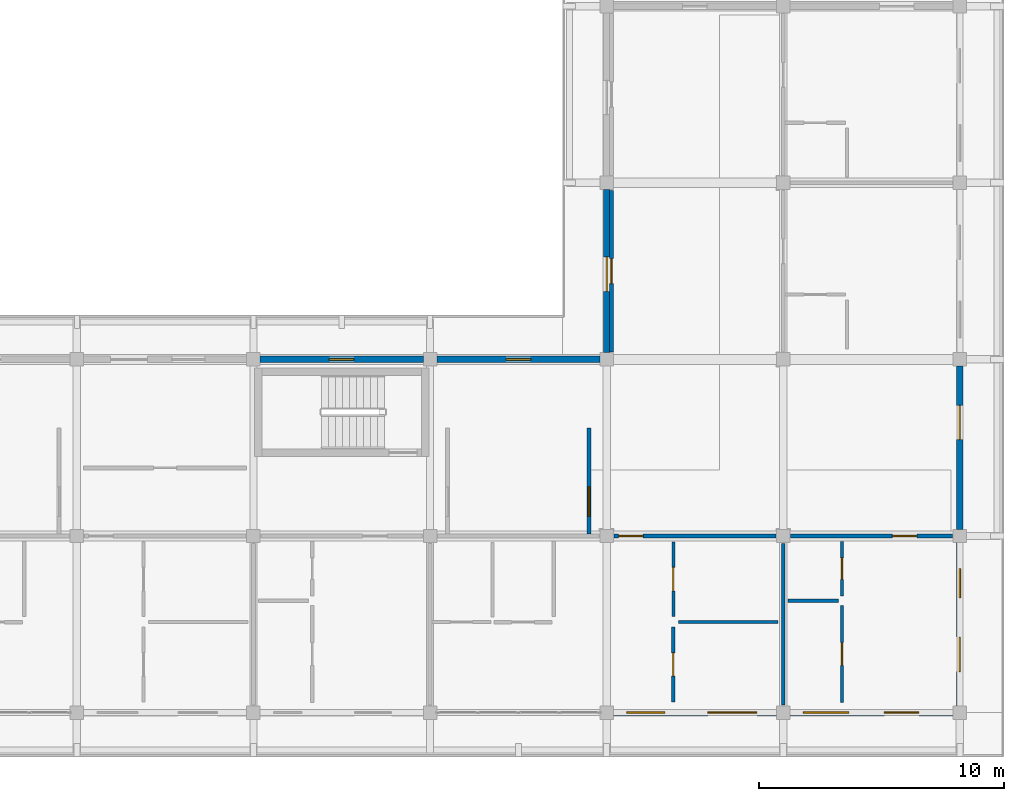
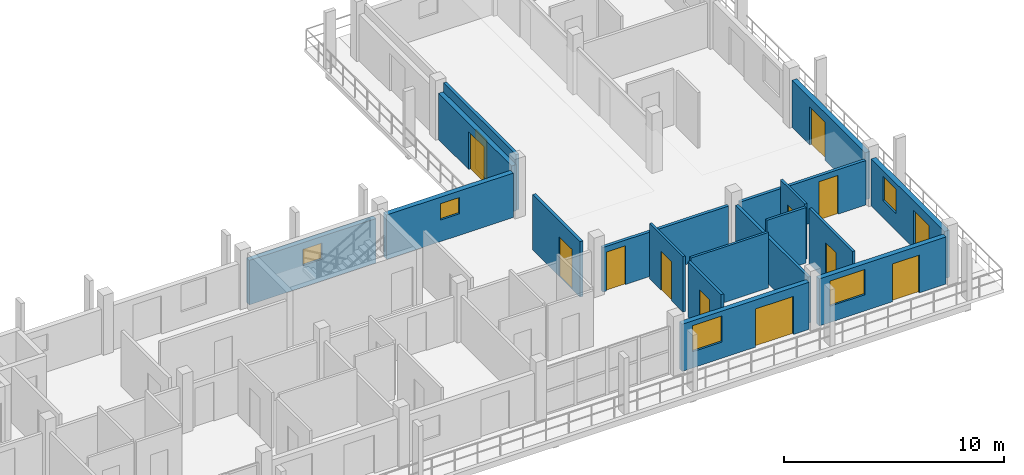
# One storey, part 42 of 60: 18 walls, 13 doors, 5 windows, 18 openings.
"""IFC4 building model written with IfcOpenShell, lengths in metres."""

import ifcopenshell
import ifcopenshell.guid

model = None  # the IFC model being written
_history = None  # IfcOwnerHistory: only IFC2X3 demands one
_inside = {}  # id of a spatial element -> (the spatial element, [elements in it])
_under = {}  # id of a project, library or spatial element -> (it, [spatial elements below it])
_declared = {}  # id of a project -> (the project, [libraries it declares])
_typed = {}  # id of a type object -> (the type object, [elements of that type])
_made_of = {}  # id of a material, layer set ... -> (it, [elements and type objects made of it])


def new_model(schema):
    """Start an empty IFC model of exactly this schema.

    Asked for "IFC4X3", IfcOpenShell would pick the latest addendum, in which some entities
    have other attributes; the version numbers below select the first issue.
    IFC2X3 requires an IfcOwnerHistory on every rooted entity: one is made here for all.
    """
    global model, _history
    if schema == "IFC4X3":
        model = ifcopenshell.file(schema_version=(4, 3, 0, 0))
    else:
        model = ifcopenshell.file(schema=schema)
    _inside.clear()
    _under.clear()
    _declared.clear()
    _typed.clear()
    _made_of.clear()
    _history = None
    if model.schema == "IFC2X3":
        org = make("IfcOrganization", Name="unknown")
        user = make(
            "IfcPersonAndOrganization",
            ThePerson=make("IfcPerson", FamilyName="unknown"),
            TheOrganization=org,
        )
        app = make(
            "IfcApplication",
            ApplicationDeveloper=org,
            Version="unknown",
            ApplicationFullName="unknown",
            ApplicationIdentifier="unknown",
        )
        _history = make(
            "IfcOwnerHistory",
            OwningUser=user,
            OwningApplication=app,
            ChangeAction="ADDED",
            CreationDate=0,
        )
    return model


def make(cls, **values):
    """One entity of the class cls with the attributes given. An attribute that is None is left unset."""
    return model.create_entity(
        cls, **{name: value for name, value in values.items() if value is not None}
    )


def rooted(cls, **values):
    """An entity with a GlobalId (a new one), such as an element, a storey or a relation."""
    return make(cls, GlobalId=ifcopenshell.guid.new(), OwnerHistory=_history, **values)


def si_unit(unit_type, name, prefix=None):
    """IfcSIUnit, for example si_unit("LENGTHUNIT", "METRE", prefix="MILLI")."""
    return make("IfcSIUnit", UnitType=unit_type, Prefix=prefix, Name=name)


def assignment(units):
    """IfcUnitAssignment: the units of a project."""
    return None if units is None else make("IfcUnitAssignment", Units=units)


def point(xyz):
    """IfcCartesianPoint."""
    return None if xyz is None else make("IfcCartesianPoint", Coordinates=xyz)


def direction(xyz):
    """IfcDirection."""
    return None if xyz is None else make("IfcDirection", DirectionRatios=xyz)


def frame(location, z_axis=None, x_axis=None):
    """IfcAxis2Placement3D, a coordinate frame: its origin and axes. An axis left out is left unset."""
    return make(
        "IfcAxis2Placement3D",
        Location=point(location),
        Axis=direction(z_axis),
        RefDirection=direction(x_axis),
    )


def frame_2d(location, x_axis=None):
    """IfcAxis2Placement2D, a coordinate frame in the plane: its origin and x axis."""
    return make(
        "IfcAxis2Placement2D", Location=point(location), RefDirection=direction(x_axis)
    )


def origin():
    """The frame at (0, 0, 0) with its axes left unset."""
    return frame((0.0, 0.0, 0.0))


def place(relative_to, where):
    """IfcLocalPlacement: puts the frame where relative to a parent placement (None: the world)."""
    return make(
        "IfcLocalPlacement", PlacementRelTo=relative_to, RelativePlacement=where
    )


def context(
    kind, dimensions, precision=None, world=None, true_north=None, identifier=None
):
    """IfcGeometricRepresentationContext, for example the 3D "Model" context."""
    return make(
        "IfcGeometricRepresentationContext",
        ContextIdentifier=identifier,
        ContextType=kind,
        CoordinateSpaceDimension=dimensions,
        Precision=precision,
        WorldCoordinateSystem=world,
        TrueNorth=true_north,
    )


def subcontext(parent, identifier, kind, view, scale=None):
    """IfcGeometricRepresentationSubContext, for example "Body" below "Model"."""
    return make(
        "IfcGeometricRepresentationSubContext",
        ContextIdentifier=identifier,
        ContextType=kind,
        ParentContext=parent,
        TargetScale=scale,
        TargetView=view,
    )


def project(units=None, contexts=None):
    """IfcProject with its units and contexts."""
    return rooted(
        "IfcProject",
        Name="project",
        RepresentationContexts=contexts,
        UnitsInContext=assignment(units),
    )


def spatial(cls, under=None, at=None, **own):
    """A site, building, storey or space (cls), placed at a placement, below another one or the project."""
    s = rooted(cls, ObjectPlacement=at, **own)
    if under is not None:
        _under.setdefault(under.id(), (under, []))[1].append(s)
    return s


def profile(cls, at=None, kind="AREA", **sizes):
    """A parametric profile (cls). Its sizes go by their IFC names, for example OverallWidth=200.0."""
    return make(cls, ProfileType=kind, Position=at, **sizes)


def rectangle(**sizes):
    """IfcRectangleProfileDef."""
    return profile("IfcRectangleProfileDef", **sizes)


def extrude(swept, where, along, depth):
    """IfcExtrudedAreaSolid: the profile swept, set in the frame where, extruded along a direction by depth."""
    return make(
        "IfcExtrudedAreaSolid",
        SweptArea=swept,
        Position=where,
        ExtrudedDirection=direction(along),
        Depth=depth,
    )


def shape(context_of_items, identifier, shape_type, items):
    """IfcShapeRepresentation: the items that make up one representation, for example the "Body"."""
    return make(
        "IfcShapeRepresentation",
        ContextOfItems=context_of_items,
        RepresentationIdentifier=identifier,
        RepresentationType=shape_type,
        Items=items,
    )


def material(Name=None, Category=None):
    """IfcMaterial."""
    return make("IfcMaterial", Name=Name, Category=Category)


def layer(
    of_material, thickness, ventilated=None, Name=None, Category=None, Priority=None
):
    """IfcMaterialLayer: one layer of a wall or slab, of a material (None: an air gap)."""
    return make(
        "IfcMaterialLayer",
        Material=of_material,
        LayerThickness=thickness,
        IsVentilated=ventilated,
        Name=Name,
        Category=Category,
        Priority=Priority,
    )


def layer_set(layers, Name=None):
    """IfcMaterialLayerSet."""
    return make("IfcMaterialLayerSet", MaterialLayers=layers, LayerSetName=Name)


def made_of(thing, what):
    """Note that an element or type object is made of a material, layer set ...; save() writes the relation."""
    if what is not None:
        _made_of.setdefault(what.id(), (what, []))[1].append(thing)
    return thing


def type_object(cls, material=None, **own):
    """A type object (cls), such as IfcWallType, which elements share."""
    return made_of(rooted(cls, **own), material)


def element(
    cls,
    number,
    at=None,
    inside=None,
    cuts=None,
    type_object=None,
    material=None,
    context=None,
    identifier="Body",
    shape_type=None,
    held_by="IfcProductDefinitionShape",
    body=None,
    shapes=None,
    **own,
):
    """One element of the class cls, such as IfcWall. Its Tag is "e" and its number.

    at: its placement. inside: the storey or other place that contains it. cuts: it is an
    opening in that element (IfcRelVoidsElement). A single representation is given by context,
    identifier, shape_type and body (its items); several are given by shapes. held_by: the class
    of the entity that holds the representations. save() writes the other relations.
    """
    e = rooted(cls, Tag="e%d" % number, ObjectPlacement=at, **own)
    if body is not None:
        shapes = [shape(context, identifier, shape_type, body)]
    if shapes is not None:
        e.Representation = make(held_by, Representations=shapes)
    if inside is not None:
        _inside.setdefault(inside.id(), (inside, []))[1].append(e)
    if cuts is not None:
        rooted(
            "IfcRelVoidsElement", RelatingBuildingElement=cuts, RelatedOpeningElement=e
        )
    if type_object is not None:
        _typed.setdefault(type_object.id(), (type_object, []))[1].append(e)
    return made_of(e, material)


def fill(opening, filler):
    """IfcRelFillsElement: the door or window that sits in an opening."""
    return rooted(
        "IfcRelFillsElement",
        RelatingOpeningElement=opening,
        RelatedBuildingElement=filler,
    )


def aggregate(whole, parts):
    """IfcRelAggregates: a whole, such as a stair, and the parts it consists of."""
    return rooted("IfcRelAggregates", RelatingObject=whole, RelatedObjects=parts)


def save(model, path):
    """Write the relations noted so far, then the file.

    IfcRelAggregates (storeys below a building ...), IfcRelContainedInSpatialStructure (elements
    in a storey), IfcRelDefinesByType, IfcRelAssociatesMaterial and IfcRelDeclares: one each for
    every whole, place, type object, material and project.
    """
    for whole, parts in _under.values():
        aggregate(whole, parts)
    for where, things in _inside.values():
        rooted(
            "IfcRelContainedInSpatialStructure",
            RelatedElements=things,
            RelatingStructure=where,
        )
    for kind, things in _typed.values():
        rooted("IfcRelDefinesByType", RelatedObjects=things, RelatingType=kind)
    for what, things in _made_of.values():
        rooted("IfcRelAssociatesMaterial", RelatedObjects=things, RelatingMaterial=what)
    for by, libraries in _declared.values():
        rooted("IfcRelDeclares", RelatingContext=by, RelatedDefinitions=libraries)
    model.write(path)


model = new_model("IFC4")

# Units and contexts
model_context = context("Model", 3, precision=1e-05, world=origin(), true_north=direction((0.0, 1.0)))
body_context = subcontext(model_context, "Body", "Model", "MODEL_VIEW")
ifc_project = project(units=[si_unit("LENGTHUNIT", "METRE"), si_unit("AREAUNIT", "SQUARE_METRE"), si_unit("VOLUMEUNIT", "CUBIC_METRE"), si_unit("PLANEANGLEUNIT", "RADIAN"), si_unit("MASSUNIT", "GRAM", prefix="KILO")], contexts=[model_context])

# Site, building, storey
site_placement = place(None, origin())
site = spatial("IfcSite", under=ifc_project, at=site_placement, CompositionType="ELEMENT")
building_placement = place(site_placement, origin())
building = spatial("IfcBuilding", under=site, at=building_placement, Name="Suanplinth Sawtooth Commons", CompositionType="ELEMENT")
storey_placement = place(building_placement, frame((0.0, 0.0, 31.5)))
storey = spatial("IfcBuildingStorey", under=building, at=storey_placement, Name="L09", CompositionType="ELEMENT", Elevation=31.5)

# Wall, opening, window
ifc_material_1 = material(Name="Precast concrete C40/50", Category="concrete")
ifc_layer_1 = layer(ifc_material_1, 0.260009765625, Name="Insulated precast courtyard facade wall 260mm")
ifc_layer_set_1 = layer_set([ifc_layer_1], Name="Precast concrete C40/50")
wall_type_1 = type_object("IfcWallType", Name="W-EX02", PredefinedType="ELEMENTEDWALL", material=ifc_layer_set_1)
wall_1_placement = place(storey_placement, frame((158.675048828125, 14.39990234375, 0.0), z_axis=(0.0, 0.0, 1.0), x_axis=(1.0, 0.0, 0.0)))
wall_1 = element("IfcWall", 1, at=wall_1_placement, inside=storey, type_object=wall_type_1, Name="Facade Wall W-L09-C-N-22-1", PredefinedType="ELEMENTEDWALL", context=body_context, shape_type="SweptSolid", body=[
    extrude(rectangle(XDim=6.64990234375, YDim=0.260009765625, at=frame_2d((3.324951171875, 0.0))), origin(), (0.0, 0.0, 1.0), 2.465087890625),
])
opening_1_placement = place(wall_1_placement, frame((2.824951171875, 0.0, 1.199951171875)))
opening_1 = element("IfcOpeningElement", 2, at=opening_1_placement, cuts=wall_1, Name="Opening W0809", PredefinedType="OPENING", context=body_context, shape_type="SweptSolid", body=[
    extrude(rectangle(XDim=1.0, YDim=0.89990234375, at=frame_2d((0.5, 0.449951171875))), frame((0.0, 0.14501953125, 0.0), z_axis=(0.0, -1.0, 0.0), x_axis=(1.0, 0.0, 0.0)), (0.0, 0.0, 1.0), 0.289794921875),
])
ifc_material_2 = material(Name="Thermally broken aluminium and low-E double glazing", Category="aluminium")
window_type_1 = type_object("IfcWindowType", Name="WN-12", PartitioningType="SINGLE_PANEL", PredefinedType="WINDOW", material=ifc_material_2)
window_1_placement = place(opening_1_placement, origin())
window_1 = element("IfcWindow", 3, at=window_1_placement, inside=storey, type_object=window_type_1, Name="Core Daylight Window L09-C-22-1", OverallHeight=0.89990234375, OverallWidth=1.0, PartitioningType="SINGLE_PANEL", PredefinedType="WINDOW", context=body_context, shape_type="SweptSolid", body=[
    extrude(rectangle(XDim=1.0, YDim=0.89990234375, at=frame_2d((0.5, 0.449951171875))), frame((0.0, 0.030029296875, 0.0), z_axis=(0.0, -1.0, 0.0), x_axis=(1.0, 0.0, 0.0)), (0.0, 0.0, 1.0), 0.06005859375),
])
fill(opening_1, window_1)

wall_2_placement = place(storey_placement, frame((165.875, 14.39990234375, 0.0), z_axis=(0.0, 0.0, 1.0), x_axis=(1.0, 0.0, 0.0)))
wall_2 = element("IfcWall", 4, at=wall_2_placement, inside=storey, type_object=wall_type_1, Name="Facade Wall W-L09-C-N-23-1", PredefinedType="ELEMENTEDWALL", context=body_context, shape_type="SweptSolid", body=[
    extrude(rectangle(XDim=6.64990234375, YDim=0.260009765625, at=frame_2d((3.324951171875, 0.0))), origin(), (0.0, 0.0, 1.0), 2.465087890625),
])
opening_2_placement = place(wall_2_placement, frame((2.824951171875, 0.0, 1.199951171875)))
opening_2 = element("IfcOpeningElement", 5, at=opening_2_placement, cuts=wall_2, Name="Opening W0810", PredefinedType="OPENING", context=body_context, shape_type="SweptSolid", body=[
    extrude(rectangle(XDim=1.0, YDim=0.89990234375, at=frame_2d((0.5, 0.449951171875))), frame((0.0, 0.14501953125, 0.0), z_axis=(0.0, -1.0, 0.0), x_axis=(1.0, 0.0, 0.0)), (0.0, 0.0, 1.0), 0.289794921875),
])
window_2_placement = place(opening_2_placement, origin())
window_2 = element("IfcWindow", 6, at=window_2_placement, inside=storey, type_object=window_type_1, Name="Core Daylight Window L09-C-23-1", OverallHeight=0.89990234375, OverallWidth=1.0, PartitioningType="SINGLE_PANEL", PredefinedType="WINDOW", context=body_context, shape_type="SweptSolid", body=[
    extrude(rectangle(XDim=1.0, YDim=0.89990234375, at=frame_2d((0.5, 0.449951171875))), frame((0.0, 0.030029296875, 0.0), z_axis=(0.0, -1.0, 0.0), x_axis=(1.0, 0.0, 0.0)), (0.0, 0.0, 1.0), 0.06005859375),
])
fill(opening_2, window_2)

# Wall, openings, door, window
wall_3_placement = place(storey_placement, frame((173.074951171875, 0.0, 0.0), z_axis=(0.0, 0.0, 1.0), x_axis=(1.0, 0.0, 0.0)))
wall_3 = element("IfcWall", 7, at=wall_3_placement, inside=storey, type_object=wall_type_1, Name="Facade Wall W-L09-C-S-24-0", PredefinedType="ELEMENTEDWALL", context=body_context, shape_type="SweptSolid", body=[
    extrude(rectangle(XDim=6.650146484375, YDim=0.260009765625, at=frame_2d((3.3251953125, 0.0))), origin(), (0.0, 0.0, 1.0), 2.614990234375),
])
opening_3_placement = place(wall_3_placement, frame((3.85009765625, 0.0, 0.0)))
opening_3 = element("IfcOpeningElement", 8, at=opening_3_placement, cuts=wall_3, Name="Opening ED0726", PredefinedType="OPENING", context=body_context, shape_type="SweptSolid", body=[
    extrude(rectangle(XDim=2.0, YDim=2.1201171875, at=frame_2d((1.0, 1.06005859375))), frame((0.0, 0.14501953125, 0.0), z_axis=(0.0, -1.0, 0.0), x_axis=(1.0, 0.0, 0.0)), (0.0, 0.0, 1.0), 0.289794921875),
])
opening_4_placement = place(wall_3_placement, frame((0.550048828125, 0.0, 0.89990234375)))
opening_4 = element("IfcOpeningElement", 9, at=opening_4_placement, cuts=wall_3, Name="Opening W0811", PredefinedType="OPENING", context=body_context, shape_type="SweptSolid", body=[
    extrude(rectangle(XDim=1.550048828125, YDim=1.449951171875, at=frame_2d((0.77490234375, 0.72509765625))), frame((0.0, 0.14501953125, 0.0), z_axis=(0.0, -1.0, 0.0), x_axis=(1.0, 0.0, 0.0)), (0.0, 0.0, 1.0), 0.289794921875),
])
ifc_material_3 = material(Name="Anodized aluminium and low-E glass", Category="aluminium")
door_type_1 = type_object("IfcDoorType", Name="SD-06", OperationType="DOUBLE_DOOR_SLIDING", PredefinedType="DOOR", material=ifc_material_3)
door_1_placement = place(opening_3_placement, frame((2.0, 0.0, 0.0), z_axis=(0.0, 0.0, 1.0), x_axis=(-1.0, 0.0, 0.0)))
door_1 = element("IfcDoor", 10, at=door_1_placement, inside=storey, type_object=door_type_1, Name="Balcony Sliding Door L09-C-24", OperationType="DOUBLE_DOOR_SLIDING", OverallHeight=2.1201171875, OverallWidth=2.0, PredefinedType="DOOR", context=body_context, shape_type="SweptSolid", body=[
    extrude(rectangle(XDim=2.0, YDim=2.1201171875, at=frame_2d((1.0, 1.06005859375))), frame((0.0, 0.02490234375, 0.0), z_axis=(0.0, -1.0, 0.0), x_axis=(1.0, 0.0, 0.0)), (0.0, 0.0, 1.0), 0.050048828125),
])
fill(opening_3, door_1)
window_type_2 = type_object("IfcWindowType", Name="WN-22", PartitioningType="DOUBLE_PANEL_VERTICAL", PredefinedType="WINDOW", material=ifc_material_2)
window_3_placement = place(opening_4_placement, origin())
window_3 = element("IfcWindow", 11, at=window_3_placement, inside=storey, type_object=window_type_2, Name="Apartment Window L09-C-24", OverallHeight=1.449951171875, OverallWidth=1.550048828125, PartitioningType="DOUBLE_PANEL_VERTICAL", PredefinedType="WINDOW", context=body_context, shape_type="SweptSolid", body=[
    extrude(rectangle(XDim=1.550048828125, YDim=1.449951171875, at=frame_2d((0.77490234375, 0.72509765625))), frame((0.0, 0.030029296875, 0.0), z_axis=(0.0, -1.0, 0.0), x_axis=(1.0, 0.0, 0.0)), (0.0, 0.0, 1.0), 0.06005859375),
])
fill(opening_4, window_3)

# Wall, opening, door
wall_4_placement = place(storey_placement, frame((172.800048828125, 14.675048828125, 0.0), z_axis=(0.0, 0.0, 1.0), x_axis=(0.0, 1.0, 0.0)))
wall_4 = element("IfcWall", 12, at=wall_4_placement, inside=storey, type_object=wall_type_1, Name="Facade Wall W-L09-C-W-24-2", PredefinedType="ELEMENTEDWALL", context=body_context, shape_type="SweptSolid", body=[
    extrude(rectangle(XDim=6.64990234375, YDim=0.260009765625, at=frame_2d((3.324951171875, 0.0))), origin(), (0.0, 0.0, 1.0), 2.56494140625),
])
opening_5_placement = place(wall_4_placement, frame((2.5, 0.0, 0.0)))
opening_5 = element("IfcOpeningElement", 13, at=opening_5_placement, cuts=wall_4, Name="Opening ED0727", PredefinedType="OPENING", context=body_context, shape_type="SweptSolid", body=[
    extrude(rectangle(XDim=1.39990234375, YDim=2.10009765625, at=frame_2d((0.699951171875, 1.050048828125))), frame((0.0, 0.14501953125, 0.0), z_axis=(0.0, -1.0, 0.0), x_axis=(1.0, 0.0, 0.0)), (0.0, 0.0, 1.0), 0.289794921875),
])
door_type_2 = type_object("IfcDoorType", Name="SD-07", OperationType="SLIDING_TO_RIGHT", PredefinedType="DOOR", material=ifc_material_3)
door_2_placement = place(opening_5_placement, frame((1.39990234375, 0.0, 0.0), z_axis=(0.0, 0.0, 1.0), x_axis=(-1.0, 0.0, 0.0)))
door_2 = element("IfcDoor", 14, at=door_2_placement, inside=storey, type_object=door_type_2, Name="Courtyard Veranda Studio Balcony Door L09-C-2", OperationType="SLIDING_TO_RIGHT", OverallHeight=2.10009765625, OverallWidth=1.39990234375, PredefinedType="DOOR", context=body_context, shape_type="SweptSolid", body=[
    extrude(rectangle(XDim=1.39990234375, YDim=2.10009765625, at=frame_2d((0.699951171875, 1.050048828125))), frame((0.0, 0.02490234375, 0.0), z_axis=(0.0, -1.0, 0.0), x_axis=(1.0, 0.0, 0.0)), (0.0, 0.0, 1.0), 0.050048828125),
])
fill(opening_5, door_2)

# Wall, openings, door, window
wall_5_placement = place(storey_placement, frame((180.27490234375, 0.0, 0.0), z_axis=(0.0, 0.0, 1.0), x_axis=(1.0, 0.0, 0.0)))
wall_5 = element("IfcWall", 15, at=wall_5_placement, inside=storey, type_object=wall_type_1, Name="Facade Wall W-L09-C-S-25-0", PredefinedType="ELEMENTEDWALL", context=body_context, shape_type="SweptSolid", body=[
    extrude(rectangle(XDim=6.650146484375, YDim=0.260009765625, at=frame_2d((3.3251953125, 0.0))), origin(), (0.0, 0.0, 1.0), 2.614990234375),
])
opening_6_placement = place(wall_5_placement, frame((3.85009765625, 0.0, 0.0)))
opening_6 = element("IfcOpeningElement", 16, at=opening_6_placement, cuts=wall_5, Name="Opening ED0729", PredefinedType="OPENING", context=body_context, shape_type="SweptSolid", body=[
    extrude(rectangle(XDim=1.39990234375, YDim=2.10009765625, at=frame_2d((0.699951171875, 1.050048828125))), frame((0.0, 0.14501953125, 0.0), z_axis=(0.0, -1.0, 0.0), x_axis=(1.0, 0.0, 0.0)), (0.0, 0.0, 1.0), 0.289794921875),
])
opening_7_placement = place(wall_5_placement, frame((0.550048828125, 0.0, 0.89990234375)))
opening_7 = element("IfcOpeningElement", 17, at=opening_7_placement, cuts=wall_5, Name="Opening W0813", PredefinedType="OPENING", context=body_context, shape_type="SweptSolid", body=[
    extrude(rectangle(XDim=1.85009765625, YDim=1.39990234375, at=frame_2d((0.925048828125, 0.699951171875))), frame((0.0, 0.14501953125, 0.0), z_axis=(0.0, -1.0, 0.0), x_axis=(1.0, 0.0, 0.0)), (0.0, 0.0, 1.0), 0.289794921875),
])
door_3_placement = place(opening_6_placement, frame((1.39990234375, 0.0, 0.0), z_axis=(0.0, 0.0, 1.0), x_axis=(-1.0, 0.0, 0.0)))
door_3 = element("IfcDoor", 18, at=door_3_placement, inside=storey, type_object=door_type_2, Name="Balcony Sliding Door L09-C-25", OperationType="SLIDING_TO_RIGHT", OverallHeight=2.10009765625, OverallWidth=1.39990234375, PredefinedType="DOOR", context=body_context, shape_type="SweptSolid", body=[
    extrude(rectangle(XDim=1.39990234375, YDim=2.10009765625, at=frame_2d((0.699951171875, 1.050048828125))), frame((0.0, 0.02490234375, 0.0), z_axis=(0.0, -1.0, 0.0), x_axis=(1.0, 0.0, 0.0)), (0.0, 0.0, 1.0), 0.050048828125),
])
fill(opening_6, door_3)
window_type_3 = type_object("IfcWindowType", Name="WN-23", PartitioningType="DOUBLE_PANEL_VERTICAL", PredefinedType="WINDOW", material=ifc_material_2)
window_4_placement = place(opening_7_placement, origin())
window_4 = element("IfcWindow", 19, at=window_4_placement, inside=storey, type_object=window_type_3, Name="Apartment Window L09-C-25", OverallHeight=1.39990234375, OverallWidth=1.85009765625, PartitioningType="DOUBLE_PANEL_VERTICAL", PredefinedType="WINDOW", context=body_context, shape_type="SweptSolid", body=[
    extrude(rectangle(XDim=1.85009765625, YDim=1.39990234375, at=frame_2d((0.925048828125, 0.699951171875))), frame((0.0, 0.030029296875, 0.0), z_axis=(0.0, -1.0, 0.0), x_axis=(1.0, 0.0, 0.0)), (0.0, 0.0, 1.0), 0.06005859375),
])
fill(opening_7, window_4)

wall_6_placement = place(storey_placement, frame((187.199951171875, 0.27490234375, 0.0), z_axis=(0.0, 0.0, 1.0), x_axis=(0.0, 1.0, 0.0)))
wall_6 = element("IfcWall", 20, at=wall_6_placement, inside=storey, type_object=wall_type_1, Name="Facade Wall W-L09-C-E-25-0", PredefinedType="ELEMENTEDWALL", context=body_context, shape_type="SweptSolid", body=[
    extrude(rectangle(XDim=6.650146484375, YDim=0.260009765625, at=frame_2d((3.3251953125, 0.0))), origin(), (0.0, 0.0, 1.0), 2.614990234375),
])
opening_8_placement = place(wall_6_placement, frame((1.39990234375, 0.0, 0.0)))
opening_8 = element("IfcOpeningElement", 21, at=opening_8_placement, cuts=wall_6, Name="Opening ED0730", PredefinedType="OPENING", context=body_context, shape_type="SweptSolid", body=[
    extrude(rectangle(XDim=1.39990234375, YDim=2.10009765625, at=frame_2d((0.699951171875, 1.050048828125))), frame((0.0, 0.14501953125, 0.0), z_axis=(0.0, -1.0, 0.0), x_axis=(1.0, 0.0, 0.0)), (0.0, 0.0, 1.0), 0.289794921875),
])
opening_9_placement = place(wall_6_placement, frame((4.39990234375, 0.0, 0.949951171875)))
opening_9 = element("IfcOpeningElement", 22, at=opening_9_placement, cuts=wall_6, Name="Opening W0814", PredefinedType="OPENING", context=body_context, shape_type="SweptSolid", body=[
    extrude(rectangle(XDim=1.199951171875, YDim=1.35009765625, at=frame_2d((0.60009765625, 0.675048828125))), frame((0.0, 0.14501953125, 0.0), z_axis=(0.0, -1.0, 0.0), x_axis=(1.0, 0.0, 0.0)), (0.0, 0.0, 1.0), 0.289794921875),
])
door_4_placement = place(opening_8_placement, frame((1.39990234375, 0.0, 0.0), z_axis=(0.0, 0.0, 1.0), x_axis=(-1.0, 0.0, 0.0)))
door_4 = element("IfcDoor", 23, at=door_4_placement, inside=storey, type_object=door_type_2, Name="End Balcony Sliding Door L09-C-E-25-0", OperationType="SLIDING_TO_RIGHT", OverallHeight=2.10009765625, OverallWidth=1.39990234375, PredefinedType="DOOR", context=body_context, shape_type="SweptSolid", body=[
    extrude(rectangle(XDim=1.39990234375, YDim=2.10009765625, at=frame_2d((0.699951171875, 1.050048828125))), frame((0.0, 0.02490234375, 0.0), z_axis=(0.0, -1.0, 0.0), x_axis=(1.0, 0.0, 0.0)), (0.0, 0.0, 1.0), 0.050048828125),
])
fill(opening_8, door_4)
window_type_4 = type_object("IfcWindowType", Name="WN-03", PartitioningType="SINGLE_PANEL", PredefinedType="WINDOW", material=ifc_material_2)
window_5_placement = place(opening_9_placement, origin())
window_5 = element("IfcWindow", 24, at=window_5_placement, inside=storey, type_object=window_type_4, Name="End Bedroom Window L09-C-25-0", OverallHeight=1.35009765625, OverallWidth=1.199951171875, PartitioningType="SINGLE_PANEL", PredefinedType="WINDOW", context=body_context, shape_type="SweptSolid", body=[
    extrude(rectangle(XDim=1.199951171875, YDim=1.35009765625, at=frame_2d((0.60009765625, 0.675048828125))), frame((0.0, 0.030029296875, 0.0), z_axis=(0.0, -1.0, 0.0), x_axis=(1.0, 0.0, 0.0)), (0.0, 0.0, 1.0), 0.06005859375),
])
fill(opening_9, window_5)

# Wall, opening, door
wall_7_placement = place(storey_placement, frame((187.199951171875, 7.47509765625, 0.0), z_axis=(0.0, 0.0, 1.0), x_axis=(0.0, 1.0, 0.0)))
wall_7 = element("IfcWall", 25, at=wall_7_placement, inside=storey, type_object=wall_type_1, Name="Facade Wall W-L09-C-E-25-1", PredefinedType="ELEMENTEDWALL", context=body_context, shape_type="SweptSolid", body=[
    extrude(rectangle(XDim=6.64990234375, YDim=0.260009765625, at=frame_2d((3.324951171875, 0.0))), origin(), (0.0, 0.0, 1.0), 2.614990234375),
])
opening_10_placement = place(wall_7_placement, frame((3.64990234375, 0.0, 0.0)))
opening_10 = element("IfcOpeningElement", 26, at=opening_10_placement, cuts=wall_7, Name="Opening ED0731", PredefinedType="OPENING", context=body_context, shape_type="SweptSolid", body=[
    extrude(rectangle(XDim=1.39990234375, YDim=2.10009765625, at=frame_2d((0.699951171875, 1.050048828125))), frame((0.0, 0.14501953125, 0.0), z_axis=(0.0, -1.0, 0.0), x_axis=(1.0, 0.0, 0.0)), (0.0, 0.0, 1.0), 0.289794921875),
])
door_5_placement = place(opening_10_placement, frame((1.39990234375, 0.0, 0.0), z_axis=(0.0, 0.0, 1.0), x_axis=(-1.0, 0.0, 0.0)))
door_5 = element("IfcDoor", 27, at=door_5_placement, inside=storey, type_object=door_type_2, Name="End Balcony Sliding Door L09-C-E-25-1", OperationType="SLIDING_TO_RIGHT", OverallHeight=2.10009765625, OverallWidth=1.39990234375, PredefinedType="DOOR", context=body_context, shape_type="SweptSolid", body=[
    extrude(rectangle(XDim=1.39990234375, YDim=2.10009765625, at=frame_2d((0.699951171875, 1.050048828125))), frame((0.0, 0.02490234375, 0.0), z_axis=(0.0, -1.0, 0.0), x_axis=(1.0, 0.0, 0.0)), (0.0, 0.0, 1.0), 0.050048828125),
])
fill(opening_10, door_5)

ifc_layer_2 = layer(ifc_material_1, 0.159912109375, Name="Fire-rated corridor and lobby wall 160mm")
ifc_layer_set_2 = layer_set([ifc_layer_2], Name="Precast concrete C40/50")
wall_type_2 = type_object("IfcWallType", Name="W-FW01", PredefinedType="PARTITIONING", material=ifc_layer_set_2)
wall_8_placement = place(storey_placement, frame((172.080078125, 7.280029296875, 0.0), z_axis=(0.0, 0.0, 1.0), x_axis=(0.0, 1.0, 0.0)))
wall_8 = element("IfcWall", 28, at=wall_8_placement, inside=storey, type_object=wall_type_2, Name="W-L09-C-C2-LOB-E", PredefinedType="PARTITIONING", context=body_context, shape_type="SweptSolid", body=[
    extrude(rectangle(XDim=4.320068359375, YDim=0.159912109375, at=frame_2d((2.16015625, 0.0))), origin(), (0.0, 0.0, 1.0), 3.080078125),
])
opening_11_placement = place(wall_8_placement, frame((0.719970703125, 0.0, 0.0)))
opening_11 = element("IfcOpeningElement", 29, at=opening_11_placement, cuts=wall_8, Name="Opening FD0353", PredefinedType="OPENING", context=body_context, shape_type="SweptSolid", body=[
    extrude(rectangle(XDim=1.199951171875, YDim=2.199951171875, at=frame_2d((0.60009765625, 1.10009765625))), frame((0.0, 0.0947265625, 0.0), z_axis=(0.0, -1.0, 0.0), x_axis=(1.0, 0.0, 0.0)), (0.0, 0.0, 1.0), 0.189697265625),
])
ifc_material_4 = material(Name="Teak hardwood fire-rated door assembly", Category="wood")
door_type_3 = type_object("IfcDoorType", Name="FD-02", OperationType="NOTDEFINED", PredefinedType="DOOR", material=ifc_material_4)
door_6_placement = place(opening_11_placement, frame((1.199951171875, 0.0, 0.0), z_axis=(0.0, 0.0, 1.0), x_axis=(-1.0, 0.0, 0.0)))
door_6 = element("IfcDoor", 30, at=door_6_placement, inside=storey, type_object=door_type_3, Name="Lobby Fire Door FD0353", OperationType="SINGLE_SWING_RIGHT", OverallHeight=2.199951171875, OverallWidth=1.199951171875, PredefinedType="DOOR", context=body_context, shape_type="SweptSolid", body=[
    extrude(rectangle(XDim=1.199951171875, YDim=2.199951171875, at=frame_2d((0.60009765625, 1.10009765625))), frame((0.0, 0.02490234375, 0.0), z_axis=(0.0, -1.0, 0.0), x_axis=(1.0, 0.0, 0.0)), (0.0, 0.0, 1.0), 0.050048828125),
])
fill(opening_11, door_6)

wall_9_placement = place(storey_placement, frame((173.10498046875, 7.199951171875, 0.0), z_axis=(0.0, 0.0, 1.0), x_axis=(1.0, 0.0, 0.0)))
wall_9 = element("IfcWall", 31, at=wall_9_placement, inside=storey, type_object=wall_type_2, Name="W-C-L09-U04-COR-S2", PredefinedType="PARTITIONING", context=body_context, shape_type="SweptSolid", body=[
    extrude(rectangle(XDim=6.590087890625, YDim=0.159912109375, at=frame_2d((3.294921875, 0.0))), origin(), (0.0, 0.0, 1.0), 2.465087890625),
])
opening_12_placement = place(wall_9_placement, frame((0.179931640625, 0.0, 0.0)))
opening_12 = element("IfcOpeningElement", 32, at=opening_12_placement, cuts=wall_9, Name="Opening FD1831", PredefinedType="OPENING", context=body_context, shape_type="SweptSolid", body=[
    extrude(rectangle(XDim=1.0, YDim=2.14990234375, at=frame_2d((0.5, 1.074951171875))), frame((0.0, 0.0947265625, 0.0), z_axis=(0.0, -1.0, 0.0), x_axis=(1.0, 0.0, 0.0)), (0.0, 0.0, 1.0), 0.189697265625),
])
door_type_4 = type_object("IfcDoorType", Name="FD-03", OperationType="NOTDEFINED", PredefinedType="DOOR", material=ifc_material_4)
door_7_placement = place(opening_12_placement, frame((1.0, 0.0, 0.0), z_axis=(0.0, 0.0, 1.0), x_axis=(-1.0, 0.0, 0.0)))
door_7 = element("IfcDoor", 33, at=door_7_placement, inside=storey, type_object=door_type_4, Name="Unit Entrance Door FD1831", OperationType="SINGLE_SWING_LEFT", OverallHeight=2.14990234375, OverallWidth=1.0, PredefinedType="DOOR", context=body_context, shape_type="SweptSolid", body=[
    extrude(rectangle(XDim=1.0, YDim=2.14990234375, at=frame_2d((0.5, 1.074951171875))), frame((0.0, 0.02490234375, 0.0), z_axis=(0.0, -1.0, 0.0), x_axis=(1.0, 0.0, 0.0)), (0.0, 0.0, 1.0), 0.050048828125),
])
fill(opening_12, door_7)

wall_10_placement = place(storey_placement, frame((180.304931640625, 7.199951171875, 0.0), z_axis=(0.0, 0.0, 1.0), x_axis=(1.0, 0.0, 0.0)))
wall_10 = element("IfcWall", 34, at=wall_10_placement, inside=storey, type_object=wall_type_2, Name="W-C-L09-U05-COR", PredefinedType="PARTITIONING", context=body_context, shape_type="SweptSolid", body=[
    extrude(rectangle(XDim=6.590087890625, YDim=0.159912109375, at=frame_2d((3.294921875, 0.0))), origin(), (0.0, 0.0, 1.0), 2.465087890625),
])
opening_13_placement = place(wall_10_placement, frame((4.14501953125, 0.0, 0.0)))
opening_13 = element("IfcOpeningElement", 35, at=opening_13_placement, cuts=wall_10, Name="Opening FD1836", PredefinedType="OPENING", context=body_context, shape_type="SweptSolid", body=[
    extrude(rectangle(XDim=1.0, YDim=2.14990234375, at=frame_2d((0.5, 1.074951171875))), frame((0.0, 0.0947265625, 0.0), z_axis=(0.0, -1.0, 0.0), x_axis=(1.0, 0.0, 0.0)), (0.0, 0.0, 1.0), 0.189697265625),
])
door_8_placement = place(opening_13_placement, frame((1.0, 0.0, 0.0), z_axis=(0.0, 0.0, 1.0), x_axis=(-1.0, 0.0, 0.0)))
door_8 = element("IfcDoor", 36, at=door_8_placement, inside=storey, type_object=door_type_4, Name="Unit Entrance Door FD1836", OperationType="SINGLE_SWING_RIGHT", OverallHeight=2.14990234375, OverallWidth=1.0, PredefinedType="DOOR", context=body_context, shape_type="SweptSolid", body=[
    extrude(rectangle(XDim=1.0, YDim=2.14990234375, at=frame_2d((0.5, 1.074951171875))), frame((0.0, 0.02490234375, 0.0), z_axis=(0.0, -1.0, 0.0), x_axis=(1.0, 0.0, 0.0)), (0.0, 0.0, 1.0), 0.050048828125),
])
fill(opening_13, door_8)

wall_11_placement = place(storey_placement, frame((173.0, 14.705078125, 0.0), z_axis=(0.0, 0.0, 1.0), x_axis=(0.0, 1.0, 0.0)))
wall_11 = element("IfcWall", 37, at=wall_11_placement, inside=storey, type_object=wall_type_2, Name="W-C-L09-LEGCOURTROOM-33-COR", PredefinedType="PARTITIONING", context=body_context, shape_type="SweptSolid", body=[
    extrude(rectangle(XDim=6.58984375, YDim=0.159912109375, at=frame_2d((3.294921875, 0.0))), origin(), (0.0, 0.0, 1.0), 3.080078125),
])
opening_14_placement = place(wall_11_placement, frame((2.784912109375, 0.0, 0.0)))
opening_14 = element("IfcOpeningElement", 38, at=opening_14_placement, cuts=wall_11, Name="Opening D1842", PredefinedType="OPENING", context=body_context, shape_type="SweptSolid", body=[
    extrude(rectangle(XDim=1.02001953125, YDim=2.179931640625, at=frame_2d((0.510009765625, 1.08984375))), frame((0.0, 0.0947265625, 0.0), z_axis=(0.0, -1.0, 0.0), x_axis=(1.0, 0.0, 0.0)), (0.0, 0.0, 1.0), 0.189697265625),
])
ifc_material_5 = material(Name="Teak hardwood", Category="wood")
door_type_5 = type_object("IfcDoorType", Name="D-16", OperationType="NOTDEFINED", PredefinedType="DOOR", material=ifc_material_5)
door_9_placement = place(opening_14_placement, origin())
door_9 = element("IfcDoor", 39, at=door_9_placement, inside=storey, type_object=door_type_5, Name="Veranda Studio Door D1842", OperationType="SINGLE_SWING_RIGHT", OverallHeight=2.179931640625, OverallWidth=1.02001953125, PredefinedType="DOOR", context=body_context, shape_type="SweptSolid", body=[
    extrude(rectangle(XDim=1.02001953125, YDim=2.179931640625, at=frame_2d((0.510009765625, 1.08984375))), frame((0.0, 0.02490234375, 0.0), z_axis=(0.0, -1.0, 0.0), x_axis=(1.0, 0.0, 0.0)), (0.0, 0.0, 1.0), 0.050048828125),
])
fill(opening_14, door_9)

# Wall
ifc_layer_3 = layer(ifc_material_1, 0.14990234375, Name="Acoustic precast party demising wall 150mm")
ifc_layer_set_3 = layer_set([ifc_layer_3], Name="Precast concrete C40/50")
wall_type_3 = type_object("IfcWallType", Name="W-FW02", PredefinedType="PARTITIONING", material=ifc_layer_set_3)
wall_12_placement = place(storey_placement, frame((180.0, 0.304931640625, 0.0), z_axis=(0.0, 0.0, 1.0), x_axis=(0.0, 1.0, 0.0)))
element("IfcWall", 40, at=wall_12_placement, inside=storey, type_object=wall_type_3, Name="W-C-L09-U04-PTY", PredefinedType="PARTITIONING", context=body_context, shape_type="SweptSolid", body=[
    extrude(rectangle(XDim=6.590087890625, YDim=0.14990234375, at=frame_2d((3.294921875, 0.0))), origin(), (0.0, 0.0, 1.0), 2.56494140625),
])

# Wall, opening, door
ifc_material_6 = material(Name="Gypsum plasterboard on steel stud", Category="steel")
ifc_layer_4 = layer(ifc_material_6, 0.139892578125, Name="Fire-rated kitchen partition 140mm")
ifc_layer_set_4 = layer_set([ifc_layer_4], Name="Gypsum plasterboard on steel stud")
wall_type_4 = type_object("IfcWallType", Name="W-PT01", PredefinedType="PARTITIONING", material=ifc_layer_set_4)
wall_13_placement = place(storey_placement, frame((182.39501953125, 0.419921875, 0.0), z_axis=(0.0, 0.0, 1.0), x_axis=(0.0, 1.0, 0.0)))
wall_13 = element("IfcWall", 41, at=wall_13_placement, inside=storey, type_object=wall_type_4, Name="W-C-L09-U05-KITE", PredefinedType="PARTITIONING", context=body_context, shape_type="SweptSolid", body=[
    extrude(rectangle(XDim=3.940185546875, YDim=0.139892578125, at=frame_2d((1.97021484375, 0.0))), origin(), (0.0, 0.0, 1.0), 3.080078125),
])
opening_15_placement = place(wall_13_placement, frame((1.510009765625, 0.0, 0.0)))
opening_15 = element("IfcOpeningElement", 42, at=opening_15_placement, cuts=wall_13, Name="Opening D1838", PredefinedType="OPENING", context=body_context, shape_type="SweptSolid", body=[
    extrude(rectangle(XDim=0.919921875, YDim=2.10009765625, at=frame_2d((0.4599609375, 1.050048828125))), frame((0.0, 0.0849609375, 0.0), z_axis=(0.0, -1.0, 0.0), x_axis=(1.0, 0.0, 0.0)), (0.0, 0.0, 1.0), 0.169677734375),
])
door_type_6 = type_object("IfcDoorType", Name="D-02", OperationType="NOTDEFINED", PredefinedType="DOOR", material=ifc_material_5)
door_10_placement = place(opening_15_placement, origin())
door_10 = element("IfcDoor", 43, at=door_10_placement, inside=storey, type_object=door_type_6, Name="Kitchen Door D1838", OperationType="SINGLE_SWING_RIGHT", OverallHeight=2.10009765625, OverallWidth=0.919921875, PredefinedType="DOOR", context=body_context, shape_type="SweptSolid", body=[
    extrude(rectangle(XDim=0.919921875, YDim=2.10009765625, at=frame_2d((0.4599609375, 1.050048828125))), frame((0.0, 0.02490234375, 0.0), z_axis=(0.0, -1.0, 0.0), x_axis=(1.0, 0.0, 0.0)), (0.0, 0.0, 1.0), 0.050048828125),
])
fill(opening_15, door_10)

# Wall
ifc_layer_5 = layer(ifc_material_6, 0.1298828125, Name="Moisture-resistant bathroom partition 130mm")
ifc_layer_set_5 = layer_set([ifc_layer_5], Name="Gypsum plasterboard on steel stud")
wall_type_5 = type_object("IfcWallType", Name="W-PT02", PredefinedType="PARTITIONING", material=ifc_layer_set_5)
wall_14_placement = place(storey_placement, frame((180.199951171875, 4.56005859375, 0.0), z_axis=(0.0, 0.0, 1.0), x_axis=(1.0, 0.0, 0.0)))
element("IfcWall", 44, at=wall_14_placement, inside=storey, type_object=wall_type_5, Name="W-C-L09-U05-STDIV", PredefinedType="PARTITIONING", context=body_context, shape_type="SweptSolid", body=[
    extrude(rectangle(XDim=2.050048828125, YDim=0.1298828125, at=frame_2d((1.02490234375, 0.0))), origin(), (0.0, 0.0, 1.0), 3.080078125),
])

# Wall, opening, door
wall_15_placement = place(storey_placement, frame((182.39501953125, 4.760009765625, 0.0), z_axis=(0.0, 0.0, 1.0), x_axis=(0.0, 1.0, 0.0)))
wall_15 = element("IfcWall", 45, at=wall_15_placement, inside=storey, type_object=wall_type_5, Name="W-C-L09-U05-BTHE", PredefinedType="PARTITIONING", context=body_context, shape_type="SweptSolid", body=[
    extrude(rectangle(XDim=2.219970703125, YDim=0.1298828125, at=frame_2d((1.10986328125, 0.0))), origin(), (0.0, 0.0, 1.0), 3.080078125),
])
opening_16_placement = place(wall_15_placement, frame((0.669921875, 0.0, 0.0)))
opening_16 = element("IfcOpeningElement", 46, at=opening_16_placement, cuts=wall_15, Name="Opening D1837", PredefinedType="OPENING", context=body_context, shape_type="SweptSolid", body=[
    extrude(rectangle(XDim=0.8798828125, YDim=2.10009765625, at=frame_2d((0.43994140625, 1.050048828125))), frame((0.0, 0.079833984375, 0.0), z_axis=(0.0, -1.0, 0.0), x_axis=(1.0, 0.0, 0.0)), (0.0, 0.0, 1.0), 0.15966796875),
])
door_type_7 = type_object("IfcDoorType", Name="D-14", OperationType="NOTDEFINED", PredefinedType="DOOR", material=ifc_material_5)
door_11_placement = place(opening_16_placement, origin())
door_11 = element("IfcDoor", 47, at=door_11_placement, inside=storey, type_object=door_type_7, Name="Bathroom Door D1837", OperationType="SINGLE_SWING_LEFT", OverallHeight=2.10009765625, OverallWidth=0.8798828125, PredefinedType="DOOR", context=body_context, shape_type="SweptSolid", body=[
    extrude(rectangle(XDim=0.8798828125, YDim=2.10009765625, at=frame_2d((0.43994140625, 1.050048828125))), frame((0.0, 0.02490234375, 0.0), z_axis=(0.0, -1.0, 0.0), x_axis=(1.0, 0.0, 0.0)), (0.0, 0.0, 1.0), 0.050048828125),
])
fill(opening_16, door_11)

ifc_layer_6 = layer(ifc_material_6, 0.1201171875, Name="Acoustic bedroom partition 120mm")
ifc_layer_set_6 = layer_set([ifc_layer_6], Name="Gypsum plasterboard on steel stud")
wall_type_6 = type_object("IfcWallType", Name="W-PT03", PredefinedType="PARTITIONING", material=ifc_layer_set_6)
wall_16_placement = place(storey_placement, frame((175.52001953125, 3.919921875, 0.0), z_axis=(0.0, 0.0, 1.0), x_axis=(0.0, 1.0, 0.0)))
wall_16 = element("IfcWall", 48, at=wall_16_placement, inside=storey, type_object=wall_type_6, Name="W-C-L09-U04-BED2", PredefinedType="PARTITIONING", context=body_context, shape_type="SweptSolid", body=[
    extrude(rectangle(XDim=3.0400390625, YDim=0.1201171875, at=frame_2d((1.52001953125, 0.0))), origin(), (0.0, 0.0, 1.0), 3.080078125),
])
opening_17_placement = place(wall_16_placement, frame((1.0400390625, 0.0, 0.0)))
opening_17 = element("IfcOpeningElement", 49, at=opening_17_placement, cuts=wall_16, Name="Opening D1835", PredefinedType="OPENING", context=body_context, shape_type="SweptSolid", body=[
    extrude(rectangle(XDim=0.9599609375, YDim=2.14990234375, at=frame_2d((0.47998046875, 1.074951171875))), frame((0.0, 0.074951171875, 0.0), z_axis=(0.0, -1.0, 0.0), x_axis=(1.0, 0.0, 0.0)), (0.0, 0.0, 1.0), 0.14990234375),
])
door_type_8 = type_object("IfcDoorType", Name="D-13", OperationType="NOTDEFINED", PredefinedType="DOOR", material=ifc_material_5)
door_12_placement = place(opening_17_placement, frame((0.9599609375, 0.0, 0.0), z_axis=(0.0, 0.0, 1.0), x_axis=(-1.0, 0.0, 0.0)))
door_12 = element("IfcDoor", 50, at=door_12_placement, inside=storey, type_object=door_type_8, Name="Second Bedroom Door D1835", OperationType="SINGLE_SWING_LEFT", OverallHeight=2.14990234375, OverallWidth=0.9599609375, PredefinedType="DOOR", context=body_context, shape_type="SweptSolid", body=[
    extrude(rectangle(XDim=0.9599609375, YDim=2.14990234375, at=frame_2d((0.47998046875, 1.074951171875))), frame((0.0, 0.02490234375, 0.0), z_axis=(0.0, -1.0, 0.0), x_axis=(1.0, 0.0, 0.0)), (0.0, 0.0, 1.0), 0.050048828125),
])
fill(opening_17, door_12)

# Wall
ifc_layer_7 = layer(ifc_material_6, 0.125, Name="Acoustic study partition 125mm")
ifc_layer_set_7 = layer_set([ifc_layer_7], Name="Gypsum plasterboard on steel stud")
wall_type_7 = type_object("IfcWallType", Name="W-PT06", PredefinedType="PARTITIONING", material=ifc_layer_set_7)
wall_17_placement = place(storey_placement, frame((175.719970703125, 3.699951171875, 0.0), z_axis=(0.0, 0.0, 1.0), x_axis=(1.0, 0.0, 0.0)))
element("IfcWall", 51, at=wall_17_placement, inside=storey, type_object=wall_type_7, Name="W-C-L09-U04-BEDDIV", PredefinedType="PARTITIONING", context=body_context, shape_type="SweptSolid", body=[
    extrude(rectangle(XDim=4.06005859375, YDim=0.125, at=frame_2d((2.030029296875, 0.0))), origin(), (0.0, 0.0, 1.0), 3.080078125),
])

# Wall, opening, door
ifc_layer_8 = layer(ifc_material_6, 0.135009765625, Name="Insulated bedroom demising partition 135mm")
ifc_layer_set_8 = layer_set([ifc_layer_8], Name="Gypsum plasterboard on steel stud")
wall_type_8 = type_object("IfcWallType", Name="W-PT07", PredefinedType="PARTITIONING", material=ifc_layer_set_8)
wall_18_placement = place(storey_placement, frame((175.52001953125, 0.43994140625, 0.0), z_axis=(0.0, 0.0, 1.0), x_axis=(0.0, 1.0, 0.0)))
wall_18 = element("IfcWall", 52, at=wall_18_placement, inside=storey, type_object=wall_type_8, Name="W-C-L09-U04-BED1", PredefinedType="PARTITIONING", context=body_context, shape_type="SweptSolid", body=[
    extrude(rectangle(XDim=3.0400390625, YDim=0.135009765625, at=frame_2d((1.52001953125, 0.0))), origin(), (0.0, 0.0, 1.0), 3.080078125),
])
opening_18_placement = place(wall_18_placement, frame((1.044921875, 0.0, 0.0)))
opening_18 = element("IfcOpeningElement", 53, at=opening_18_placement, cuts=wall_18, Name="Opening D1834", PredefinedType="OPENING", context=body_context, shape_type="SweptSolid", body=[
    extrude(rectangle(XDim=0.949951171875, YDim=2.14990234375, at=frame_2d((0.47509765625, 1.074951171875))), frame((0.0, 0.08251953125, 0.0), z_axis=(0.0, -1.0, 0.0), x_axis=(1.0, 0.0, 0.0)), (0.0, 0.0, 1.0), 0.164794921875),
])
door_type_9 = type_object("IfcDoorType", Name="D-03", OperationType="NOTDEFINED", PredefinedType="DOOR", material=ifc_material_5)
door_13_placement = place(opening_18_placement, frame((0.949951171875, 0.0, 0.0), z_axis=(0.0, 0.0, 1.0), x_axis=(-1.0, 0.0, 0.0)))
door_13 = element("IfcDoor", 54, at=door_13_placement, inside=storey, type_object=door_type_9, Name="Bedroom Door D1834", OperationType="SINGLE_SWING_RIGHT", OverallHeight=2.14990234375, OverallWidth=0.949951171875, PredefinedType="DOOR", context=body_context, shape_type="SweptSolid", body=[
    extrude(rectangle(XDim=0.949951171875, YDim=2.14990234375, at=frame_2d((0.47509765625, 1.074951171875))), frame((0.0, 0.02490234375, 0.0), z_axis=(0.0, -1.0, 0.0), x_axis=(1.0, 0.0, 0.0)), (0.0, 0.0, 1.0), 0.050048828125),
])
fill(opening_18, door_13)

save(model, "model.ifc")
